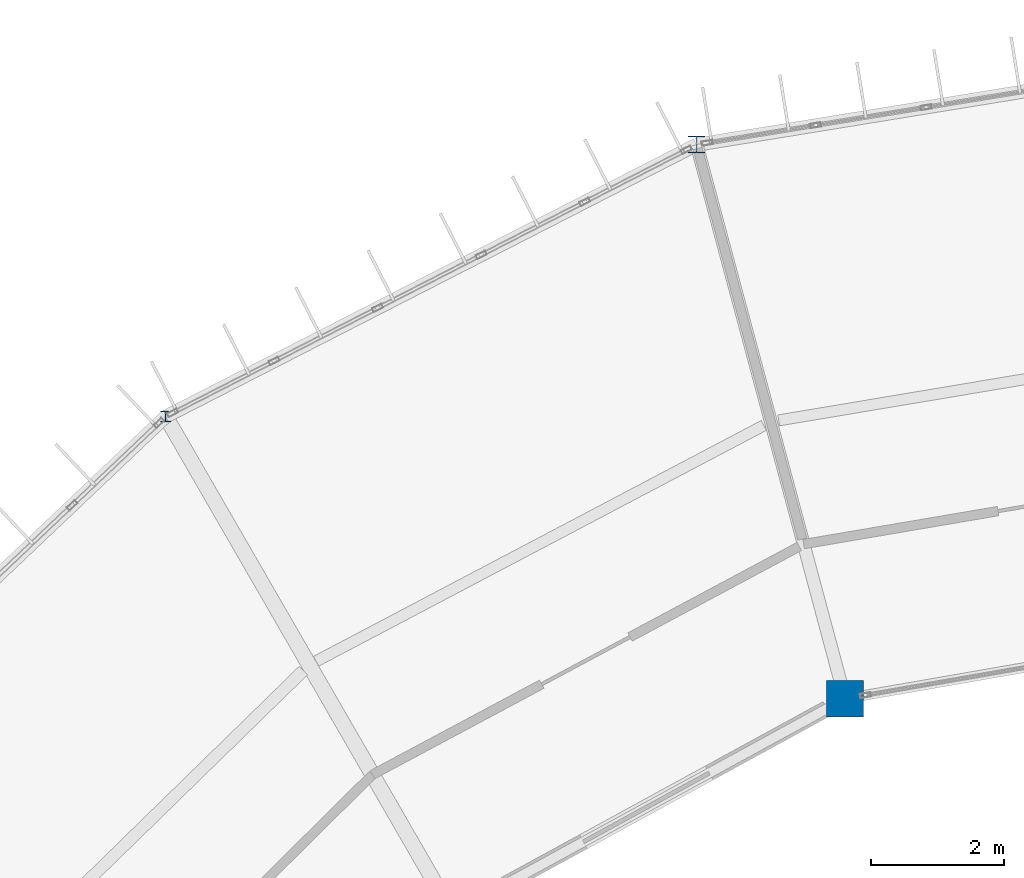
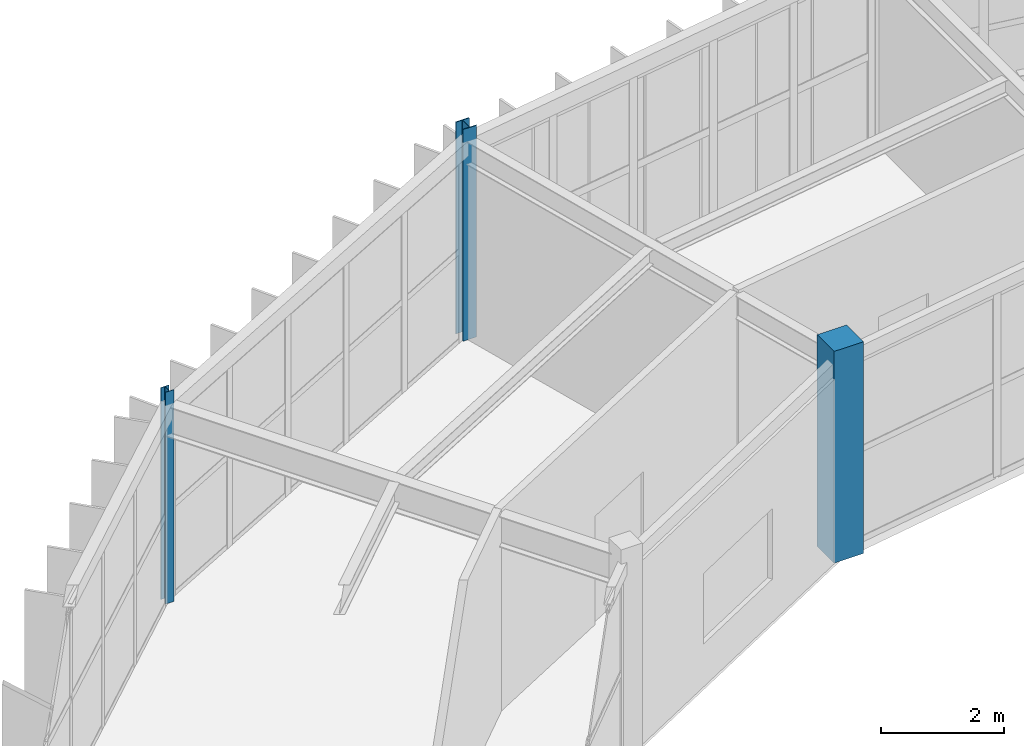
# One storey, part 14 of 130: 3 columns.
"""IFC4 building model written with IfcOpenShell, lengths in metres."""

from ifc_helpers import new_model, si_unit, direction, frame, origin, origin_2d, place, context, subcontext, project, spatial, rectangle, i_section, extrude, material, material_profile, profile_set, type_object, element, save


model = new_model("IFC4")

# Units and contexts
model_context = context("Model", 3, precision=1e-05, world=origin(), true_north=direction((0.0, 1.0)))
body_context = subcontext(model_context, "Body", "Model", "MODEL_VIEW")
ifc_project = project(units=[si_unit("LENGTHUNIT", "METRE"), si_unit("AREAUNIT", "SQUARE_METRE"), si_unit("VOLUMEUNIT", "CUBIC_METRE"), si_unit("PLANEANGLEUNIT", "RADIAN"), si_unit("MASSUNIT", "GRAM", prefix="KILO")], contexts=[model_context])

# Site, building, storey
site_placement = place(None, origin())
site = spatial("IfcSite", under=ifc_project, at=site_placement, CompositionType="ELEMENT")
building_placement = place(site_placement, origin())
building = spatial("IfcBuilding", under=site, at=building_placement, Name="Karori Crest Natural Sciences Institute", CompositionType="ELEMENT")
storey_placement = place(building_placement, frame((0.0, 0.0, 17.5)))
storey = spatial("IfcBuildingStorey", under=building, at=storey_placement, Name="L04", CompositionType="ELEMENT", Elevation=17.5)

# Columns
ifc_material_1 = material(Name="Structural steel AS/NZS 3679.1 Grade 350", Category="steel")
ifc_material_profile_1 = material_profile(ifc_material_1, i_section(OverallWidth=0.25390625, OverallDepth=0.25390625, WebThickness=0.008544921875, FlangeThickness=0.01416015625, FilletRadius=0.013916015625, at=origin_2d()), Name="250UC72.9")
ifc_profile_set_1 = profile_set([ifc_material_profile_1], Name="Structural steel AS/NZS 3679.1 Grade 350")
column_type_1 = type_object("IfcColumnType", Name="CT-07", PredefinedType="COLUMN", material=ifc_profile_set_1)
column_1_placement = place(storey_placement, frame((57.85888671875, 89.309814453125, 0.0), z_axis=(0.0, 0.0, 1.0), x_axis=(1.0, 0.0, 0.0)))
element("IfcColumn", 1, at=column_1_placement, inside=storey, type_object=column_type_1, Name="Column C-0135", PredefinedType="COLUMN", context=body_context, shape_type="SweptSolid", body=[
    extrude(i_section(OverallWidth=0.25390625, OverallDepth=0.25390625, WebThickness=0.008544921875, FlangeThickness=0.01416015625, FilletRadius=0.013916015625, at=origin_2d()), origin(), (0.0, 0.0, 1.0), 4.199951171875),
])
ifc_material_profile_2 = material_profile(ifc_material_1, i_section(OverallWidth=0.154052734375, OverallDepth=0.162109375, WebThickness=0.008056640625, FlangeThickness=0.011474609375, FilletRadius=0.009033203125, at=origin_2d()), Name="150UC37.2")
ifc_profile_set_2 = profile_set([ifc_material_profile_2], Name="Structural steel AS/NZS 3679.1 Grade 350")
column_type_2 = type_object("IfcColumnType", Name="CT-26", PredefinedType="COLUMN", material=ifc_profile_set_2)
column_2_placement = place(storey_placement, frame((49.89990234375, 85.23388671875, 0.0), z_axis=(0.0, 0.0, 1.0), x_axis=(1.0, 0.0, 0.0)))
element("IfcColumn", 2, at=column_2_placement, inside=storey, type_object=column_type_2, Name="Column C-0151", PredefinedType="COLUMN", context=body_context, shape_type="SweptSolid", body=[
    extrude(i_section(OverallWidth=0.154052734375, OverallDepth=0.162109375, WebThickness=0.008056640625, FlangeThickness=0.011474609375, FilletRadius=0.009033203125, at=origin_2d()), origin(), (0.0, 0.0, 1.0), 4.199951171875),
])
ifc_material_2 = material(Name="Concrete 50 MPa", Category="concrete")
ifc_material_profile_3 = material_profile(ifc_material_2, rectangle(XDim=0.550048828125, YDim=0.550048828125, at=origin_2d()), Name="RC550x550")
ifc_profile_set_3 = profile_set([ifc_material_profile_3], Name="Concrete 50 MPa")
column_type_3 = type_object("IfcColumnType", Name="CT-30", PredefinedType="COLUMN", material=ifc_profile_set_3)
column_3_placement = place(storey_placement, frame((60.084716796875, 81.002685546875, 0.0), z_axis=(0.0, 0.0, 1.0), x_axis=(1.0, 0.0, 0.0)))
element("IfcColumn", 3, at=column_3_placement, inside=storey, type_object=column_type_3, Name="Column C-0136", PredefinedType="COLUMN", context=body_context, shape_type="SweptSolid", body=[
    extrude(rectangle(XDim=0.550048828125, YDim=0.550048828125, at=origin_2d()), origin(), (0.0, 0.0, 1.0), 4.199951171875),
])

save(model, "model.ifc")
